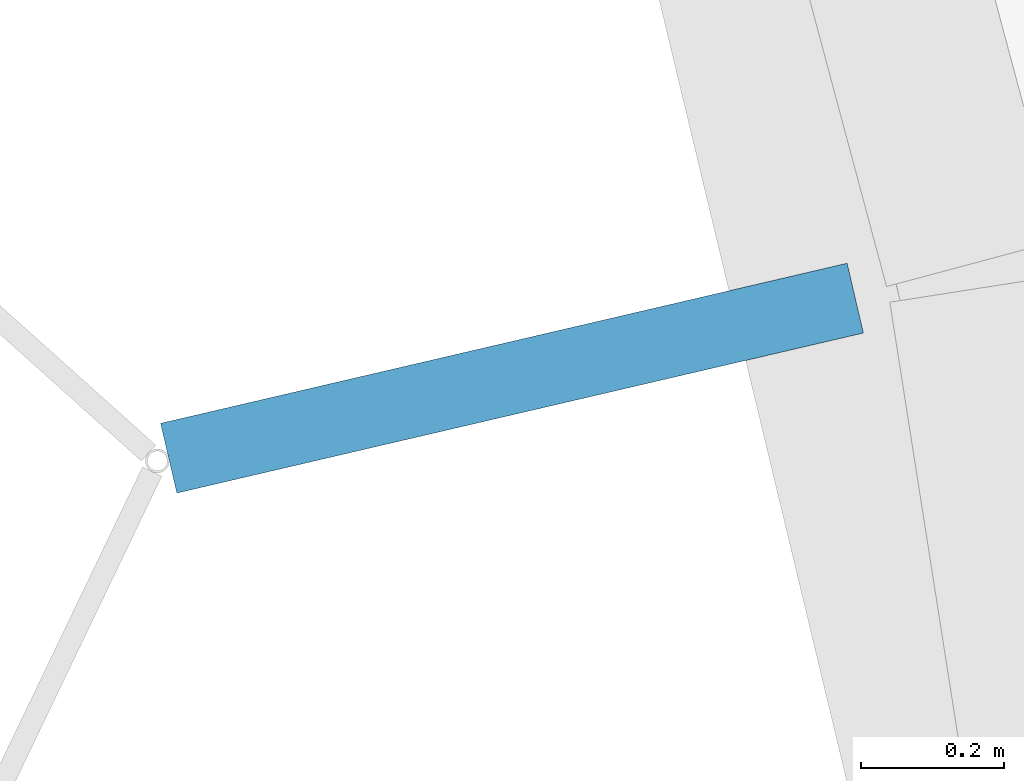
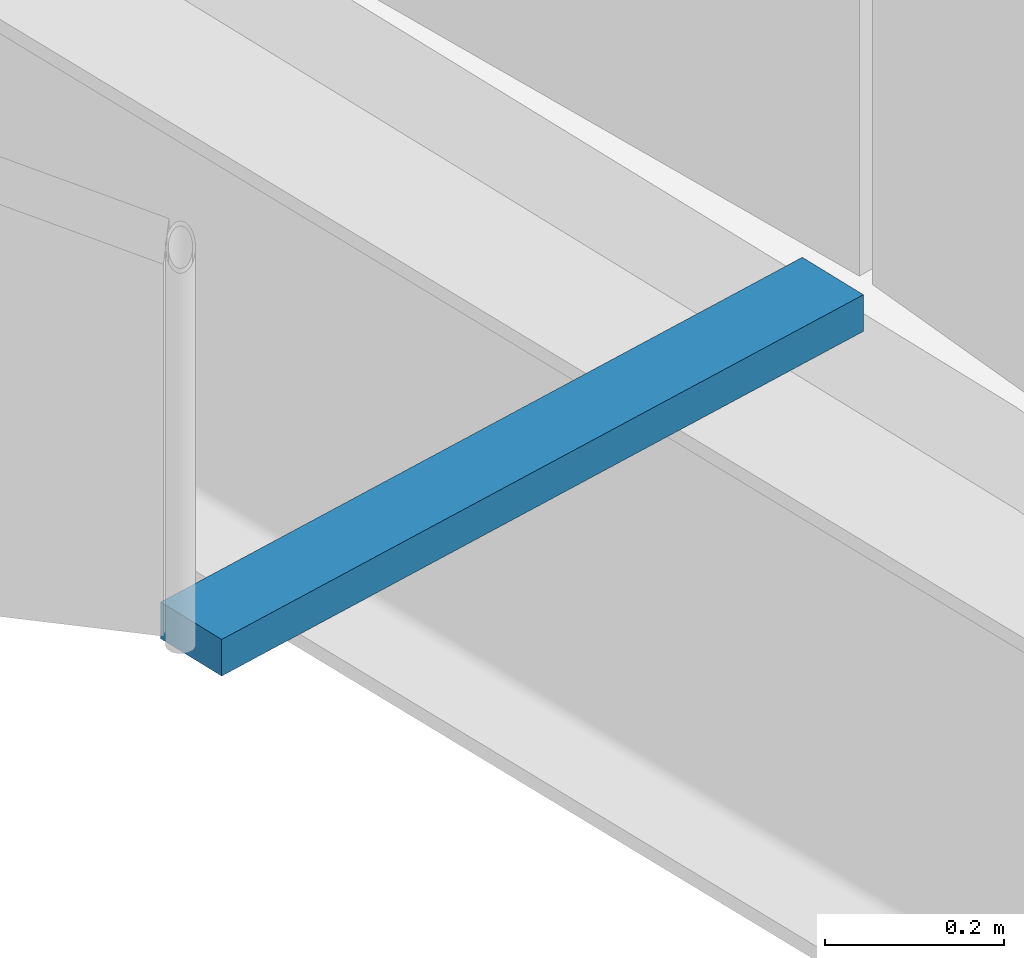
# One storey, part 100 of 198: 1 discrete accessory.
"""IFC4 building model written with IfcOpenShell, lengths in metres."""

from ifc_helpers import new_model, si_unit, direction, frame, origin, origin_2d, place, context, subcontext, project, spatial, rectangle, extrude, material, type_object, element, save


model = new_model("IFC4")

# Units and contexts
model_context = context("Model", 3, precision=1e-05, world=origin(), true_north=direction((0.0, 1.0)))
body_context = subcontext(model_context, "Body", "Model", "MODEL_VIEW")
ifc_project = project(units=[si_unit("LENGTHUNIT", "METRE"), si_unit("AREAUNIT", "SQUARE_METRE"), si_unit("VOLUMEUNIT", "CUBIC_METRE"), si_unit("PLANEANGLEUNIT", "RADIAN"), si_unit("MASSUNIT", "GRAM", prefix="KILO")], contexts=[model_context])

# Site, building, storey
site_placement = place(None, origin())
site = spatial("IfcSite", under=ifc_project, at=site_placement, CompositionType="ELEMENT")
building_placement = place(site_placement, origin())
building = spatial("IfcBuilding", under=site, at=building_placement, Name="Parallax Yard Mobility Hub", CompositionType="ELEMENT")
storey_placement = place(building_placement, frame((0.0, 0.0, 6.60009765625)))
storey = spatial("IfcBuildingStorey", under=building, at=storey_placement, Name="L02", CompositionType="ELEMENT", Elevation=6.60009765625)

# Discrete accessory
ifc_material = material(Name="Steel ASTM A36, hot-dip galvanised", Category="steel")
discrete_accessory_type = type_object("IfcDiscreteAccessoryType", Name="Hinge bracket plate 100x50", PredefinedType="BRACKET", material=ifc_material)
discrete_accessory_placement = place(storey_placement, frame((194.020751953125, 94.570556640625, -0.02490234375), z_axis=(0.0, 0.0, 1.0), x_axis=(-0.973876979277, -0.227076263034, 0.0)))
element("IfcDiscreteAccessory", 1, at=discrete_accessory_placement, inside=storey, type_object=discrete_accessory_type, Name="Hinge bracket plate bay 22.3 level L02", PredefinedType="BRACKET", context=body_context, shape_type="SweptSolid", body=[
    extrude(rectangle(XDim=0.984130859375, YDim=0.10009765625, at=origin_2d()), origin(), (0.0, 0.0, 1.0), 0.050048828125),
])

save(model, "model.ifc")
